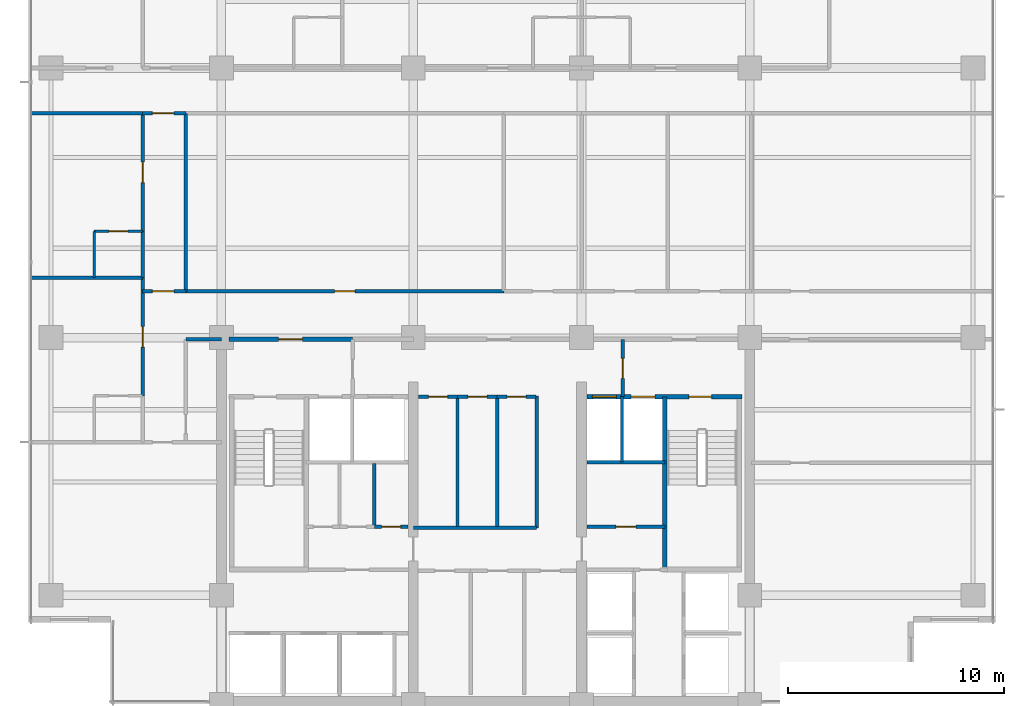
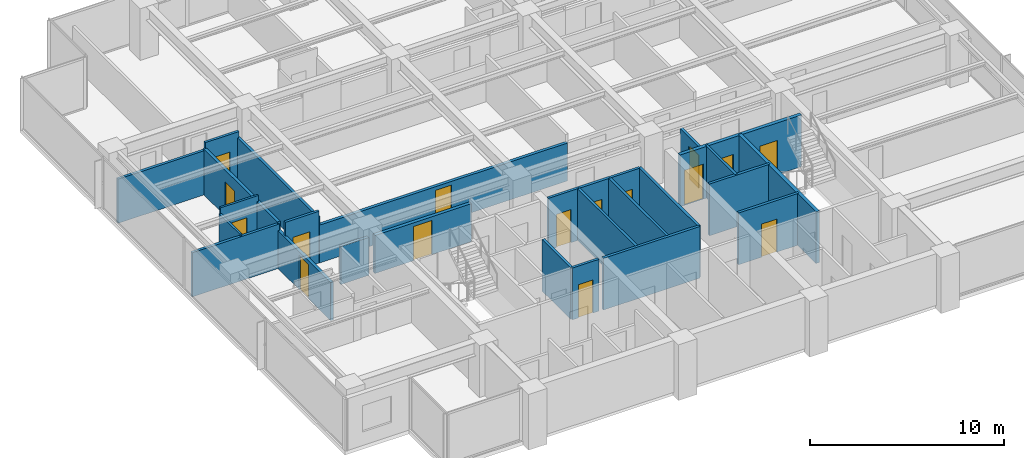
# One storey, part 8 of 15: 28 walls, 16 doors, 16 openings.
"""IFC4 building model written with IfcOpenShell, lengths in metres."""

import ifcopenshell
import ifcopenshell.guid

model = None  # the IFC model being written
_history = None  # IfcOwnerHistory: only IFC2X3 demands one
_inside = {}  # id of a spatial element -> (the spatial element, [elements in it])
_under = {}  # id of a project, library or spatial element -> (it, [spatial elements below it])
_declared = {}  # id of a project -> (the project, [libraries it declares])
_typed = {}  # id of a type object -> (the type object, [elements of that type])
_made_of = {}  # id of a material, layer set ... -> (it, [elements and type objects made of it])


def new_model(schema):
    """Start an empty IFC model of exactly this schema.

    Asked for "IFC4X3", IfcOpenShell would pick the latest addendum, in which some entities
    have other attributes; the version numbers below select the first issue.
    IFC2X3 requires an IfcOwnerHistory on every rooted entity: one is made here for all.
    """
    global model, _history
    if schema == "IFC4X3":
        model = ifcopenshell.file(schema_version=(4, 3, 0, 0))
    else:
        model = ifcopenshell.file(schema=schema)
    _inside.clear()
    _under.clear()
    _declared.clear()
    _typed.clear()
    _made_of.clear()
    _history = None
    if model.schema == "IFC2X3":
        org = make("IfcOrganization", Name="unknown")
        user = make(
            "IfcPersonAndOrganization",
            ThePerson=make("IfcPerson", FamilyName="unknown"),
            TheOrganization=org,
        )
        app = make(
            "IfcApplication",
            ApplicationDeveloper=org,
            Version="unknown",
            ApplicationFullName="unknown",
            ApplicationIdentifier="unknown",
        )
        _history = make(
            "IfcOwnerHistory",
            OwningUser=user,
            OwningApplication=app,
            ChangeAction="ADDED",
            CreationDate=0,
        )
    return model


def make(cls, **values):
    """One entity of the class cls with the attributes given. An attribute that is None is left unset."""
    return model.create_entity(
        cls, **{name: value for name, value in values.items() if value is not None}
    )


def rooted(cls, **values):
    """An entity with a GlobalId (a new one), such as an element, a storey or a relation."""
    return make(cls, GlobalId=ifcopenshell.guid.new(), OwnerHistory=_history, **values)


def si_unit(unit_type, name, prefix=None):
    """IfcSIUnit, for example si_unit("LENGTHUNIT", "METRE", prefix="MILLI")."""
    return make("IfcSIUnit", UnitType=unit_type, Prefix=prefix, Name=name)


def assignment(units):
    """IfcUnitAssignment: the units of a project."""
    return None if units is None else make("IfcUnitAssignment", Units=units)


def point(xyz):
    """IfcCartesianPoint."""
    return None if xyz is None else make("IfcCartesianPoint", Coordinates=xyz)


def direction(xyz):
    """IfcDirection."""
    return None if xyz is None else make("IfcDirection", DirectionRatios=xyz)


def frame(location, z_axis=None, x_axis=None):
    """IfcAxis2Placement3D, a coordinate frame: its origin and axes. An axis left out is left unset."""
    return make(
        "IfcAxis2Placement3D",
        Location=point(location),
        Axis=direction(z_axis),
        RefDirection=direction(x_axis),
    )


def frame_2d(location, x_axis=None):
    """IfcAxis2Placement2D, a coordinate frame in the plane: its origin and x axis."""
    return make(
        "IfcAxis2Placement2D", Location=point(location), RefDirection=direction(x_axis)
    )


def origin():
    """The frame at (0, 0, 0) with its axes left unset."""
    return frame((0.0, 0.0, 0.0))


def place(relative_to, where):
    """IfcLocalPlacement: puts the frame where relative to a parent placement (None: the world)."""
    return make(
        "IfcLocalPlacement", PlacementRelTo=relative_to, RelativePlacement=where
    )


def context(
    kind, dimensions, precision=None, world=None, true_north=None, identifier=None
):
    """IfcGeometricRepresentationContext, for example the 3D "Model" context."""
    return make(
        "IfcGeometricRepresentationContext",
        ContextIdentifier=identifier,
        ContextType=kind,
        CoordinateSpaceDimension=dimensions,
        Precision=precision,
        WorldCoordinateSystem=world,
        TrueNorth=true_north,
    )


def subcontext(parent, identifier, kind, view, scale=None):
    """IfcGeometricRepresentationSubContext, for example "Body" below "Model"."""
    return make(
        "IfcGeometricRepresentationSubContext",
        ContextIdentifier=identifier,
        ContextType=kind,
        ParentContext=parent,
        TargetScale=scale,
        TargetView=view,
    )


def project(units=None, contexts=None):
    """IfcProject with its units and contexts."""
    return rooted(
        "IfcProject",
        Name="project",
        RepresentationContexts=contexts,
        UnitsInContext=assignment(units),
    )


def spatial(cls, under=None, at=None, **own):
    """A site, building, storey or space (cls), placed at a placement, below another one or the project."""
    s = rooted(cls, ObjectPlacement=at, **own)
    if under is not None:
        _under.setdefault(under.id(), (under, []))[1].append(s)
    return s


def profile(cls, at=None, kind="AREA", **sizes):
    """A parametric profile (cls). Its sizes go by their IFC names, for example OverallWidth=200.0."""
    return make(cls, ProfileType=kind, Position=at, **sizes)


def rectangle(**sizes):
    """IfcRectangleProfileDef."""
    return profile("IfcRectangleProfileDef", **sizes)


def extrude(swept, where, along, depth):
    """IfcExtrudedAreaSolid: the profile swept, set in the frame where, extruded along a direction by depth."""
    return make(
        "IfcExtrudedAreaSolid",
        SweptArea=swept,
        Position=where,
        ExtrudedDirection=direction(along),
        Depth=depth,
    )


def shape(context_of_items, identifier, shape_type, items):
    """IfcShapeRepresentation: the items that make up one representation, for example the "Body"."""
    return make(
        "IfcShapeRepresentation",
        ContextOfItems=context_of_items,
        RepresentationIdentifier=identifier,
        RepresentationType=shape_type,
        Items=items,
    )


def material(Name=None, Category=None):
    """IfcMaterial."""
    return make("IfcMaterial", Name=Name, Category=Category)


def layer(
    of_material, thickness, ventilated=None, Name=None, Category=None, Priority=None
):
    """IfcMaterialLayer: one layer of a wall or slab, of a material (None: an air gap)."""
    return make(
        "IfcMaterialLayer",
        Material=of_material,
        LayerThickness=thickness,
        IsVentilated=ventilated,
        Name=Name,
        Category=Category,
        Priority=Priority,
    )


def layer_set(layers, Name=None):
    """IfcMaterialLayerSet."""
    return make("IfcMaterialLayerSet", MaterialLayers=layers, LayerSetName=Name)


def made_of(thing, what):
    """Note that an element or type object is made of a material, layer set ...; save() writes the relation."""
    if what is not None:
        _made_of.setdefault(what.id(), (what, []))[1].append(thing)
    return thing


def type_object(cls, material=None, **own):
    """A type object (cls), such as IfcWallType, which elements share."""
    return made_of(rooted(cls, **own), material)


def element(
    cls,
    number,
    at=None,
    inside=None,
    cuts=None,
    type_object=None,
    material=None,
    context=None,
    identifier="Body",
    shape_type=None,
    held_by="IfcProductDefinitionShape",
    body=None,
    shapes=None,
    **own,
):
    """One element of the class cls, such as IfcWall. Its Tag is "e" and its number.

    at: its placement. inside: the storey or other place that contains it. cuts: it is an
    opening in that element (IfcRelVoidsElement). A single representation is given by context,
    identifier, shape_type and body (its items); several are given by shapes. held_by: the class
    of the entity that holds the representations. save() writes the other relations.
    """
    e = rooted(cls, Tag="e%d" % number, ObjectPlacement=at, **own)
    if body is not None:
        shapes = [shape(context, identifier, shape_type, body)]
    if shapes is not None:
        e.Representation = make(held_by, Representations=shapes)
    if inside is not None:
        _inside.setdefault(inside.id(), (inside, []))[1].append(e)
    if cuts is not None:
        rooted(
            "IfcRelVoidsElement", RelatingBuildingElement=cuts, RelatedOpeningElement=e
        )
    if type_object is not None:
        _typed.setdefault(type_object.id(), (type_object, []))[1].append(e)
    return made_of(e, material)


def fill(opening, filler):
    """IfcRelFillsElement: the door or window that sits in an opening."""
    return rooted(
        "IfcRelFillsElement",
        RelatingOpeningElement=opening,
        RelatedBuildingElement=filler,
    )


def aggregate(whole, parts):
    """IfcRelAggregates: a whole, such as a stair, and the parts it consists of."""
    return rooted("IfcRelAggregates", RelatingObject=whole, RelatedObjects=parts)


def save(model, path):
    """Write the relations noted so far, then the file.

    IfcRelAggregates (storeys below a building ...), IfcRelContainedInSpatialStructure (elements
    in a storey), IfcRelDefinesByType, IfcRelAssociatesMaterial and IfcRelDeclares: one each for
    every whole, place, type object, material and project.
    """
    for whole, parts in _under.values():
        aggregate(whole, parts)
    for where, things in _inside.values():
        rooted(
            "IfcRelContainedInSpatialStructure",
            RelatedElements=things,
            RelatingStructure=where,
        )
    for kind, things in _typed.values():
        rooted("IfcRelDefinesByType", RelatedObjects=things, RelatingType=kind)
    for what, things in _made_of.values():
        rooted("IfcRelAssociatesMaterial", RelatedObjects=things, RelatingMaterial=what)
    for by, libraries in _declared.values():
        rooted("IfcRelDeclares", RelatingContext=by, RelatedDefinitions=libraries)
    model.write(path)


model = new_model("IFC4")

# Units and contexts
model_context = context("Model", 3, precision=1e-05, world=origin(), true_north=direction((0.0, 1.0)))
body_context = subcontext(model_context, "Body", "Model", "MODEL_VIEW")
ifc_project = project(units=[si_unit("LENGTHUNIT", "METRE"), si_unit("AREAUNIT", "SQUARE_METRE"), si_unit("VOLUMEUNIT", "CUBIC_METRE"), si_unit("PLANEANGLEUNIT", "RADIAN"), si_unit("MASSUNIT", "GRAM", prefix="KILO")], contexts=[model_context])

# Site, building, storey
site_placement = place(None, origin())
site = spatial("IfcSite", under=ifc_project, at=site_placement, CompositionType="ELEMENT")
building_placement = place(site_placement, origin())
building = spatial("IfcBuilding", under=site, at=building_placement, Name="Qalmaran Belvedere Hotel", CompositionType="ELEMENT")
storey_placement = place(building_placement, frame((0.0, 0.0, 159.60009765625)))
storey = spatial("IfcBuildingStorey", under=building, at=storey_placement, Name="L40", CompositionType="ELEMENT", Elevation=159.60009765625)

# Wall, opening, door
ifc_material_1 = material(Name="Moisture-Resistant Gypsum")
ifc_layer_1 = layer(ifc_material_1, 0.1201171875, Name="Moisture-Resistant Gypsum")
ifc_layer_set_1 = layer_set([ifc_layer_1], Name="Moisture-Resistant Gypsum")
wall_type_1 = type_object("IfcWallType", Name="WL-INT-120-BATH", PredefinedType="PARTITIONING", material=ifc_layer_set_1)
wall_1_placement = place(storey_placement, frame((14.39990234375, 25.425048828125, 0.0), z_axis=(0.0, 0.0, 1.0), x_axis=(1.0, 0.0, 0.0)))
wall_1 = element("IfcWall", 1, at=wall_1_placement, inside=storey, type_object=wall_type_1, Name="L40 Partition WL-L40-WBN01", PredefinedType="PARTITIONING", context=body_context, shape_type="SweptSolid", body=[
    extrude(rectangle(XDim=2.25, YDim=0.1201171875, at=frame_2d((1.125, 0.0))), origin(), (0.0, 0.0, 1.0), 3.25),
])
opening_1_placement = place(wall_1_placement, frame((1.56494140625, 0.0, 0.0), z_axis=(0.0, 0.0, 1.0), x_axis=(-1.0, 0.0, 0.0)))
opening_1 = element("IfcOpeningElement", 2, at=opening_1_placement, cuts=wall_1, Name="Opening D-BATH", PredefinedType="OPENING", context=body_context, shape_type="SweptSolid", body=[
    extrude(rectangle(XDim=0.8798828125, YDim=2.080078125, at=frame_2d((0.43994140625, 1.0400390625))), frame((0.0, 0.070068359375, 0.0), z_axis=(0.0, -1.0, 0.0), x_axis=(1.0, 0.0, 0.0)), (0.0, 0.0, 1.0), 0.14013671875),
])
ifc_material_2 = material(Name="Engineered Oak Veneer")
door_type_1 = type_object("IfcDoorType", Name="DR-INT-BATH-880X2080", OperationType="NOTDEFINED", PredefinedType="DOOR", material=ifc_material_2)
door_1_placement = place(opening_1_placement, origin())
door_1 = element("IfcDoor", 3, at=door_1_placement, inside=storey, type_object=door_type_1, Name="L40 W Ensuite Door 02", OperationType="SINGLE_SWING_RIGHT", OverallHeight=2.080078125, OverallWidth=0.8798828125, PredefinedType="DOOR", context=body_context, shape_type="SweptSolid", body=[
    extrude(rectangle(XDim=0.8798828125, YDim=2.080078125, at=frame_2d((0.43994140625, 1.0400390625))), frame((0.0, 0.02490234375, 0.0), z_axis=(0.0, -1.0, 0.0), x_axis=(1.0, 0.0, 0.0)), (0.0, 0.0, 1.0), 0.050048828125),
])
fill(opening_1, door_1)

# Walls
wall_2_placement = place(storey_placement, frame((14.39990234375, 23.27490234375, 0.0), z_axis=(0.0, 0.0, 1.0), x_axis=(0.0, 1.0, 0.0)))
element("IfcWall", 4, at=wall_2_placement, inside=storey, type_object=wall_type_1, Name="L40 Partition WL-L40-WBS01", PredefinedType="PARTITIONING", context=body_context, shape_type="SweptSolid", body=[
    extrude(rectangle(XDim=2.150146484375, YDim=0.1201171875, at=frame_2d((1.0751953125, 0.0))), origin(), (0.0, 0.0, 1.0), 2.880859375),
])
ifc_material_3 = material(Name="Gypsum Stud Partition")
ifc_layer_2 = layer(ifc_material_3, 0.14990234375, Name="Gypsum Stud Partition")
ifc_layer_set_2 = layer_set([ifc_layer_2], Name="Gypsum Stud Partition")
wall_type_2 = type_object("IfcWallType", Name="WL-INT-150-EI120", PredefinedType="PARTITIONING", material=ifc_layer_set_2)
wall_3_placement = place(storey_placement, frame((38.8798828125, 14.719970703125, 0.0), z_axis=(0.0, 0.0, 1.0), x_axis=(0.0, 1.0, 0.0)))
element("IfcWall", 5, at=wall_3_placement, inside=storey, type_object=wall_type_2, Name="L40 Partition WL-FF2M-L40", PredefinedType="PARTITIONING", context=body_context, shape_type="SweptSolid", body=[
    extrude(rectangle(XDim=3.0400390625, YDim=0.14990234375, at=frame_2d((1.52001953125, 0.0))), origin(), (0.0, 0.0, 1.0), 3.25),
])
ifc_layer_3 = layer(ifc_material_3, 0.14990234375, Name="Gypsum Stud Partition")
ifc_layer_set_3 = layer_set([ifc_layer_3], Name="Gypsum Stud Partition")
wall_type_3 = type_object("IfcWallType", Name="WL-INT-150-EI60", PredefinedType="PARTITIONING", material=ifc_layer_set_3)
wall_4_placement = place(storey_placement, frame((27.38916015625, 11.719970703125, 0.0), z_axis=(0.0, 0.0, 1.0), x_axis=(0.0, 1.0, 0.0)))
element("IfcWall", 6, at=wall_4_placement, inside=storey, type_object=wall_type_3, Name="L40 Partition WL-L40-KWV2", PredefinedType="PARTITIONING", context=body_context, shape_type="SweptSolid", body=[
    extrude(rectangle(XDim=2.929931640625, YDim=0.14990234375, at=frame_2d((1.46484375, 0.0))), origin(), (0.0, 0.0, 1.0), 3.25),
])
for number, where, z_axis, x_axis, name in (
    (7, (31.241943359375, 11.739990234375, 0.0), (0.0, 0.0, 1.0), (0.0, 1.0, 0.0), "L40 Partition WL-L40-KPMV1"),
    (8, (33.088134765625, 11.739990234375, 0.0), (0.0, 0.0, 1.0), (0.0, 1.0, 0.0), "L40 Partition WL-L40-KPMV2"),
):
    element("IfcWall", number, at=place(storey_placement, frame(where, z_axis=z_axis, x_axis=x_axis)), inside=storey, type_object=wall_type_3, Name=name, PredefinedType="PARTITIONING", context=body_context, shape_type="SweptSolid", body=[
        extrude(rectangle(XDim=6.010009765625, YDim=0.14990234375, at=frame_2d((3.0048828125, 0.0))), origin(), (0.0, 0.0, 1.0), 3.25),
    ])

# Wall, opening, door
wall_5_placement = place(storey_placement, frame((16.64990234375, 22.64990234375, 0.0), z_axis=(0.0, 0.0, 1.0), x_axis=(1.0, 0.0, 0.0)))
wall_5 = element("IfcWall", 9, at=wall_5_placement, inside=storey, type_object=wall_type_3, Name="L40 Partition WL-L40-XCW1", PredefinedType="PARTITIONING", context=body_context, shape_type="SweptSolid", body=[
    extrude(rectangle(XDim=2.0, YDim=0.14990234375, at=frame_2d((1.0, 0.0))), origin(), (0.0, 0.0, 1.0), 3.25),
])
opening_2_placement = place(wall_5_placement, frame((0.449951171875, 0.0, 0.0)))
opening_2 = element("IfcOpeningElement", 10, at=opening_2_placement, cuts=wall_5, Name="Opening FD90B", PredefinedType="OPENING", context=body_context, shape_type="SweptSolid", body=[
    extrude(rectangle(XDim=1.0, YDim=2.14990234375, at=frame_2d((0.5, 1.074951171875))), frame((0.0, 0.0849609375, 0.0), z_axis=(0.0, -1.0, 0.0), x_axis=(1.0, 0.0, 0.0)), (0.0, 0.0, 1.0), 0.169921875),
])
ifc_material_4 = material(Name="Steel S355JR", Category="steel")
door_type_2 = type_object("IfcDoorType", Name="DR-FD90B-1000X2150", OperationType="NOTDEFINED", PredefinedType="DOOR", material=ifc_material_4)
door_2_placement = place(opening_2_placement, origin())
door_2 = element("IfcDoor", 11, at=door_2_placement, inside=storey, type_object=door_type_2, Name="L40 West Corridor Smoke Door S", OperationType="SINGLE_SWING_RIGHT", OverallHeight=2.14990234375, OverallWidth=1.0, PredefinedType="DOOR", context=body_context, shape_type="SweptSolid", body=[
    extrude(rectangle(XDim=1.0, YDim=2.14990234375, at=frame_2d((0.5, 1.074951171875))), frame((0.0, 0.02490234375, 0.0), z_axis=(0.0, -1.0, 0.0), x_axis=(1.0, 0.0, 0.0)), (0.0, 0.0, 1.0), 0.050048828125),
])
fill(opening_2, door_2)

wall_6_placement = place(storey_placement, frame((16.64990234375, 30.89990234375, 0.0), z_axis=(0.0, 0.0, 1.0), x_axis=(1.0, 0.0, 0.0)))
wall_6 = element("IfcWall", 12, at=wall_6_placement, inside=storey, type_object=wall_type_3, Name="L40 Partition WL-L40-XCW2", PredefinedType="PARTITIONING", context=body_context, shape_type="SweptSolid", body=[
    extrude(rectangle(XDim=2.0, YDim=0.14990234375, at=frame_2d((1.0, 0.0))), origin(), (0.0, 0.0, 1.0), 3.25),
])
opening_3_placement = place(wall_6_placement, frame((0.449951171875, 0.0, 0.0)))
opening_3 = element("IfcOpeningElement", 13, at=opening_3_placement, cuts=wall_6, Name="Opening FD90B", PredefinedType="OPENING", context=body_context, shape_type="SweptSolid", body=[
    extrude(rectangle(XDim=1.0, YDim=2.14990234375, at=frame_2d((0.5, 1.074951171875))), frame((0.0, 0.0849609375, 0.0), z_axis=(0.0, -1.0, 0.0), x_axis=(1.0, 0.0, 0.0)), (0.0, 0.0, 1.0), 0.169921875),
])
door_3_placement = place(opening_3_placement, origin())
door_3 = element("IfcDoor", 14, at=door_3_placement, inside=storey, type_object=door_type_2, Name="L40 West Corridor Smoke Door N", OperationType="SINGLE_SWING_LEFT", OverallHeight=2.14990234375, OverallWidth=1.0, PredefinedType="DOOR", context=body_context, shape_type="SweptSolid", body=[
    extrude(rectangle(XDim=1.0, YDim=2.14990234375, at=frame_2d((0.5, 1.074951171875))), frame((0.0, 0.02490234375, 0.0), z_axis=(0.0, -1.0, 0.0), x_axis=(1.0, 0.0, 0.0)), (0.0, 0.0, 1.0), 0.050048828125),
])
fill(opening_3, door_3)

ifc_layer_4 = layer(ifc_material_3, 0.159912109375, Name="Gypsum Stud Partition")
ifc_layer_set_4 = layer_set([ifc_layer_4], Name="Gypsum Stud Partition")
wall_type_4 = type_object("IfcWallType", Name="WL-INT-160-EI120", PredefinedType="PARTITIONING", material=ifc_layer_set_4)
wall_7_placement = place(storey_placement, frame((38.919921875, 17.760009765625, 0.0), z_axis=(0.0, 0.0, 1.0), x_axis=(0.0, 1.0, 0.0)))
wall_7 = element("IfcWall", 15, at=wall_7_placement, inside=storey, type_object=wall_type_4, Name="L40 Partition WL-FFSV2-L40", PredefinedType="PARTITIONING", context=body_context, shape_type="SweptSolid", body=[
    extrude(rectangle(XDim=2.659912109375, YDim=0.159912109375, at=frame_2d((1.330078125, 0.0))), origin(), (0.0, 0.0, 1.0), 2.69189453125),
])
opening_4_placement = place(wall_7_placement, frame((1.77001953125, 0.0, 0.0), z_axis=(0.0, 0.0, 1.0), x_axis=(-1.0, 0.0, 0.0)))
opening_4 = element("IfcOpeningElement", 16, at=opening_4_placement, cuts=wall_7, Name="Opening FD60S1", PredefinedType="OPENING", context=body_context, shape_type="SweptSolid", body=[
    extrude(rectangle(XDim=0.919921875, YDim=2.080078125, at=frame_2d((0.4599609375, 1.0400390625))), frame((0.0, 0.08984375, 0.0), z_axis=(0.0, -1.0, 0.0), x_axis=(1.0, 0.0, 0.0)), (0.0, 0.0, 1.0), 0.179931640625),
])
door_type_3 = type_object("IfcDoorType", Name="DR-FD60S-920X2080", OperationType="NOTDEFINED", PredefinedType="DOOR", material=ifc_material_2)
door_4_placement = place(opening_4_placement, origin())
door_4 = element("IfcDoor", 17, at=door_4_placement, inside=storey, type_object=door_type_3, Name="L40 Service Lobby East Door", OperationType="SINGLE_SWING_LEFT", OverallHeight=2.080078125, OverallWidth=0.919921875, PredefinedType="DOOR", context=body_context, shape_type="SweptSolid", body=[
    extrude(rectangle(XDim=0.919921875, YDim=2.080078125, at=frame_2d((0.4599609375, 1.0400390625))), frame((0.0, 0.02490234375, 0.0), z_axis=(0.0, -1.0, 0.0), x_axis=(1.0, 0.0, 0.0)), (0.0, 0.0, 1.0), 0.050048828125),
])
fill(opening_4, door_4)

# Wall
wall_8_placement = place(storey_placement, frame((37.25, 14.719970703125, 0.0), z_axis=(0.0, 0.0, 1.0), x_axis=(1.0, 0.0, 0.0)))
element("IfcWall", 18, at=wall_8_placement, inside=storey, type_object=wall_type_4, Name="L40 Partition WL-FF2S-L40", PredefinedType="PARTITIONING", context=body_context, shape_type="SweptSolid", body=[
    extrude(rectangle(XDim=3.610107421875, YDim=0.159912109375, at=frame_2d((1.80517578125, 0.0))), origin(), (0.0, 0.0, 1.0), 3.25),
])

# Wall, opening, door
ifc_layer_5 = layer(ifc_material_3, 0.159912109375, Name="Gypsum Stud Partition")
ifc_layer_set_5 = layer_set([ifc_layer_5], Name="Gypsum Stud Partition")
wall_type_5 = type_object("IfcWallType", Name="WL-INT-160-EI60", PredefinedType="PARTITIONING", material=ifc_layer_set_5)
wall_9_placement = place(storey_placement, frame((27.38916015625, 11.719970703125, 0.0), z_axis=(0.0, 0.0, 1.0), x_axis=(1.0, 0.0, 0.0)))
wall_9 = element("IfcWall", 19, at=wall_9_placement, inside=storey, type_object=wall_type_5, Name="L40 Partition WL-L40-KWE3", PredefinedType="PARTITIONING", context=body_context, shape_type="SweptSolid", body=[
    extrude(rectangle(XDim=1.560791015625, YDim=0.159912109375, at=frame_2d((0.7802734375, 0.0))), origin(), (0.0, 0.0, 1.0), 3.25),
])
opening_5_placement = place(wall_9_placement, frame((0.340576171875, 0.0, 0.0)))
opening_5 = element("IfcOpeningElement", 20, at=opening_5_placement, cuts=wall_9, Name="Opening FD60B", PredefinedType="OPENING", context=body_context, shape_type="SweptSolid", body=[
    extrude(rectangle(XDim=0.8798828125, YDim=2.080078125, at=frame_2d((0.43994140625, 1.0400390625))), frame((0.0, 0.08984375, 0.0), z_axis=(0.0, -1.0, 0.0), x_axis=(1.0, 0.0, 0.0)), (0.0, 0.0, 1.0), 0.179931640625),
])
door_type_4 = type_object("IfcDoorType", Name="DR-FD60B-880X2080", OperationType="NOTDEFINED", PredefinedType="DOOR", material=ifc_material_4)
door_5_placement = place(opening_5_placement, origin())
door_5 = element("IfcDoor", 21, at=door_5_placement, inside=storey, type_object=door_type_4, Name="L40 Telecom and IT Room Door", OperationType="SINGLE_SWING_LEFT", OverallHeight=2.080078125, OverallWidth=0.8798828125, PredefinedType="DOOR", context=body_context, shape_type="SweptSolid", body=[
    extrude(rectangle(XDim=0.8798828125, YDim=2.080078125, at=frame_2d((0.43994140625, 1.0400390625))), frame((0.0, 0.02490234375, 0.0), z_axis=(0.0, -1.0, 0.0), x_axis=(1.0, 0.0, 0.0)), (0.0, 0.0, 1.0), 0.050048828125),
])
fill(opening_5, door_5)

wall_10_placement = place(storey_placement, frame((37.25, 11.719970703125, 0.0), z_axis=(0.0, 0.0, 1.0), x_axis=(1.0, 0.0, 0.0)))
wall_10 = element("IfcWall", 22, at=wall_10_placement, inside=storey, type_object=wall_type_5, Name="L40 Partition WL-L40-KEE1", PredefinedType="PARTITIONING", context=body_context, shape_type="SweptSolid", body=[
    extrude(rectangle(XDim=3.610107421875, YDim=0.159912109375, at=frame_2d((1.80517578125, 0.0))), origin(), (0.0, 0.0, 1.0), 3.25),
])
opening_6_placement = place(wall_10_placement, frame((1.344970703125, 0.0, 0.0)))
opening_6 = element("IfcOpeningElement", 23, at=opening_6_placement, cuts=wall_10, Name="Opening FD60S1", PredefinedType="OPENING", context=body_context, shape_type="SweptSolid", body=[
    extrude(rectangle(XDim=0.919921875, YDim=2.080078125, at=frame_2d((0.4599609375, 1.0400390625))), frame((0.0, 0.08984375, 0.0), z_axis=(0.0, -1.0, 0.0), x_axis=(1.0, 0.0, 0.0)), (0.0, 0.0, 1.0), 0.179931640625),
])
door_6_placement = place(opening_6_placement, origin())
door_6 = element("IfcDoor", 24, at=door_6_placement, inside=storey, type_object=door_type_3, Name="L40 Guest Ice and Beverage Pantry Door", OperationType="SINGLE_SWING_RIGHT", OverallHeight=2.080078125, OverallWidth=0.919921875, PredefinedType="DOOR", context=body_context, shape_type="SweptSolid", body=[
    extrude(rectangle(XDim=0.919921875, YDim=2.080078125, at=frame_2d((0.4599609375, 1.0400390625))), frame((0.0, 0.02490234375, 0.0), z_axis=(0.0, -1.0, 0.0), x_axis=(1.0, 0.0, 0.0)), (0.0, 0.0, 1.0), 0.050048828125),
])
fill(opening_6, door_6)

# Walls
wall_11_placement = place(storey_placement, frame((34.919921875, 11.679931640625, 0.0), z_axis=(0.0, 0.0, 1.0), x_axis=(0.0, 1.0, 0.0)))
element("IfcWall", 25, at=wall_11_placement, inside=storey, type_object=wall_type_5, Name="L40 Partition WL-CLLV-L40", PredefinedType="PARTITIONING", context=body_context, shape_type="SweptSolid", body=[
    extrude(rectangle(XDim=6.10009765625, YDim=0.159912109375, at=frame_2d((3.050048828125, 0.0))), origin(), (0.0, 0.0, 1.0), 3.25),
])
wall_12_placement = place(storey_placement, frame((29.199951171875, 11.679931640625, 0.0), z_axis=(0.0, 0.0, 1.0), x_axis=(1.0, 0.0, 0.0)))
element("IfcWall", 26, at=wall_12_placement, inside=storey, type_object=wall_type_5, Name="L40 Partition WL-PMFS-L40", PredefinedType="PARTITIONING", context=body_context, shape_type="SweptSolid", body=[
    extrude(rectangle(XDim=5.719970703125, YDim=0.159912109375, at=frame_2d((2.85986328125, 0.0))), origin(), (0.0, 0.0, 1.0), 3.25),
])

# Wall, opening, door
wall_13_placement = place(storey_placement, frame((29.449951171875, 17.75, 0.0), z_axis=(0.0, 0.0, 1.0), x_axis=(1.0, 0.0, 0.0)))
wall_13 = element("IfcWall", 27, at=wall_13_placement, inside=storey, type_object=wall_type_5, Name="L40 Partition WL-L40-KPME1", PredefinedType="PARTITIONING", context=body_context, shape_type="SweptSolid", body=[
    extrude(rectangle(XDim=1.7919921875, YDim=0.159912109375, at=frame_2d((0.89599609375, 0.0))), origin(), (0.0, 0.0, 1.0), 3.25),
])
opening_7_placement = place(wall_13_placement, frame((1.3359375, 0.0, 0.0), z_axis=(0.0, 0.0, 1.0), x_axis=(-1.0, 0.0, 0.0)))
opening_7 = element("IfcOpeningElement", 28, at=opening_7_placement, cuts=wall_13, Name="Opening FD60B", PredefinedType="OPENING", context=body_context, shape_type="SweptSolid", body=[
    extrude(rectangle(XDim=0.8798828125, YDim=2.080078125, at=frame_2d((0.43994140625, 1.0400390625))), frame((0.0, 0.08984375, 0.0), z_axis=(0.0, -1.0, 0.0), x_axis=(1.0, 0.0, 0.0)), (0.0, 0.0, 1.0), 0.179931640625),
])
door_7_placement = place(opening_7_placement, origin())
door_7 = element("IfcDoor", 29, at=door_7_placement, inside=storey, type_object=door_type_4, Name="L40 Executive Butler Pantry Door", OperationType="SINGLE_SWING_RIGHT", OverallHeight=2.080078125, OverallWidth=0.8798828125, PredefinedType="DOOR", context=body_context, shape_type="SweptSolid", body=[
    extrude(rectangle(XDim=0.8798828125, YDim=2.080078125, at=frame_2d((0.43994140625, 1.0400390625))), frame((0.0, 0.02490234375, 0.0), z_axis=(0.0, -1.0, 0.0), x_axis=(1.0, 0.0, 0.0)), (0.0, 0.0, 1.0), 0.050048828125),
])
fill(opening_7, door_7)

wall_14_placement = place(storey_placement, frame((31.241943359375, 17.75, 0.0), z_axis=(0.0, 0.0, 1.0), x_axis=(1.0, 0.0, 0.0)))
wall_14 = element("IfcWall", 30, at=wall_14_placement, inside=storey, type_object=wall_type_5, Name="L40 Partition WL-L40-KPME2", PredefinedType="PARTITIONING", context=body_context, shape_type="SweptSolid", body=[
    extrude(rectangle(XDim=1.84619140625, YDim=0.159912109375, at=frame_2d((0.923095703125, 0.0))), origin(), (0.0, 0.0, 1.0), 3.25),
])
opening_8_placement = place(wall_14_placement, frame((1.363037109375, 0.0, 0.0), z_axis=(0.0, 0.0, 1.0), x_axis=(-1.0, 0.0, 0.0)))
opening_8 = element("IfcOpeningElement", 31, at=opening_8_placement, cuts=wall_14, Name="Opening FD60B", PredefinedType="OPENING", context=body_context, shape_type="SweptSolid", body=[
    extrude(rectangle(XDim=0.8798828125, YDim=2.080078125, at=frame_2d((0.43994140625, 1.0400390625))), frame((0.0, 0.08984375, 0.0), z_axis=(0.0, -1.0, 0.0), x_axis=(1.0, 0.0, 0.0)), (0.0, 0.0, 1.0), 0.179931640625),
])
door_8_placement = place(opening_8_placement, origin())
door_8 = element("IfcDoor", 32, at=door_8_placement, inside=storey, type_object=door_type_4, Name="L40 Floor Linen Supply Store Door", OperationType="SINGLE_SWING_LEFT", OverallHeight=2.080078125, OverallWidth=0.8798828125, PredefinedType="DOOR", context=body_context, shape_type="SweptSolid", body=[
    extrude(rectangle(XDim=0.8798828125, YDim=2.080078125, at=frame_2d((0.43994140625, 1.0400390625))), frame((0.0, 0.02490234375, 0.0), z_axis=(0.0, -1.0, 0.0), x_axis=(1.0, 0.0, 0.0)), (0.0, 0.0, 1.0), 0.050048828125),
])
fill(opening_8, door_8)

wall_15_placement = place(storey_placement, frame((33.088134765625, 17.75, 0.0), z_axis=(0.0, 0.0, 1.0), x_axis=(1.0, 0.0, 0.0)))
wall_15 = element("IfcWall", 33, at=wall_15_placement, inside=storey, type_object=wall_type_5, Name="L40 Partition WL-L40-KPME3", PredefinedType="PARTITIONING", context=body_context, shape_type="SweptSolid", body=[
    extrude(rectangle(XDim=1.791748046875, YDim=0.159912109375, at=frame_2d((0.89599609375, 0.0))), origin(), (0.0, 0.0, 1.0), 3.25),
])
opening_9_placement = place(wall_15_placement, frame((1.3359375, 0.0, 0.0), z_axis=(0.0, 0.0, 1.0), x_axis=(-1.0, 0.0, 0.0)))
opening_9 = element("IfcOpeningElement", 34, at=opening_9_placement, cuts=wall_15, Name="Opening FD60B", PredefinedType="OPENING", context=body_context, shape_type="SweptSolid", body=[
    extrude(rectangle(XDim=0.8798828125, YDim=2.080078125, at=frame_2d((0.43994140625, 1.0400390625))), frame((0.0, 0.08984375, 0.0), z_axis=(0.0, -1.0, 0.0), x_axis=(1.0, 0.0, 0.0)), (0.0, 0.0, 1.0), 0.179931640625),
])
door_9_placement = place(opening_9_placement, origin())
door_9 = element("IfcDoor", 35, at=door_9_placement, inside=storey, type_object=door_type_4, Name="L40 Core Tableware Store Door", OperationType="SINGLE_SWING_RIGHT", OverallHeight=2.080078125, OverallWidth=0.8798828125, PredefinedType="DOOR", context=body_context, shape_type="SweptSolid", body=[
    extrude(rectangle(XDim=0.8798828125, YDim=2.080078125, at=frame_2d((0.43994140625, 1.0400390625))), frame((0.0, 0.02490234375, 0.0), z_axis=(0.0, -1.0, 0.0), x_axis=(1.0, 0.0, 0.0)), (0.0, 0.0, 1.0), 0.050048828125),
])
fill(opening_9, door_9)

# Walls
wall_16_placement = place(storey_placement, frame((18.64990234375, 20.419921875, 0.0), z_axis=(0.0, 0.0, 1.0), x_axis=(1.0, 0.0, 0.0)))
element("IfcWall", 36, at=wall_16_placement, inside=storey, type_object=wall_type_5, Name="L40 Partition WL-L40-WCLN", PredefinedType="PARTITIONING", context=body_context, shape_type="SweptSolid", body=[
    extrude(rectangle(XDim=1.650146484375, YDim=0.159912109375, at=frame_2d((0.8251953125, 0.0))), origin(), (0.0, 0.0, 1.0), 2.3798828125),
])
wall_17_placement = place(storey_placement, frame((18.64990234375, 22.64990234375, 0.0), z_axis=(0.0, 0.0, 1.0), x_axis=(0.0, 1.0, 0.0)))
element("IfcWall", 37, at=wall_17_placement, inside=storey, type_object=wall_type_5, Name="L40 Partition WL-L40-MIDVL", PredefinedType="PARTITIONING", context=body_context, shape_type="SweptSolid", body=[
    extrude(rectangle(XDim=8.25, YDim=0.159912109375, at=frame_2d((4.125, 0.0))), origin(), (0.0, 0.0, 1.0), 2.880859375),
])
for number, where, z_axis, x_axis, name in (
    (38, (11.469970703125, 23.27490234375, 0.0), (0.0, 0.0, 1.0), (1.0, 0.0, 0.0), "L40 Partition WL-L40-WU00"),
    (39, (11.469970703125, 30.89990234375, 0.0), (0.0, 0.0, 1.0), (1.0, 0.0, 0.0), "L40 Partition WL-L40-WU01"),
):
    element("IfcWall", number, at=place(storey_placement, frame(where, z_axis=z_axis, x_axis=x_axis)), inside=storey, type_object=wall_type_5, Name=name, PredefinedType="PARTITIONING", context=body_context, shape_type="SweptSolid", body=[
        extrude(rectangle(XDim=5.179931640625, YDim=0.159912109375, at=frame_2d((2.58984375, 0.0))), origin(), (0.0, 0.0, 1.0), 2.77197265625),
    ])

# Wall, opening, door
ifc_layer_6 = layer(ifc_material_3, 0.179931640625, Name="Gypsum Stud Partition")
ifc_layer_set_6 = layer_set([ifc_layer_6], Name="Gypsum Stud Partition")
wall_type_6 = type_object("IfcWallType", Name="WL-INT-180-EI60", PredefinedType="PARTITIONING", material=ifc_layer_set_6)
wall_18_placement = place(storey_placement, frame((18.64990234375, 22.64990234375, 0.0), z_axis=(0.0, 0.0, 1.0), x_axis=(1.0, 0.0, 0.0)))
wall_18 = element("IfcWall", 40, at=wall_18_placement, inside=storey, type_object=wall_type_6, Name="L40 Partition WL-L40-MIDD1", PredefinedType="PARTITIONING", context=body_context, shape_type="SweptSolid", body=[
    extrude(rectangle(XDim=14.75, YDim=0.179931640625, at=frame_2d((7.375, 0.0))), origin(), (0.0, 0.0, 1.0), 2.3798828125),
])
opening_10_placement = place(wall_18_placement, frame((6.89990234375, 0.0, 0.0)))
opening_10 = element("IfcOpeningElement", 41, at=opening_10_placement, cuts=wall_18, Name="Opening FD60", PredefinedType="OPENING", context=body_context, shape_type="SweptSolid", body=[
    extrude(rectangle(XDim=0.949951171875, YDim=2.14990234375, at=frame_2d((0.47509765625, 1.074951171875))), frame((0.0, 0.10009765625, 0.0), z_axis=(0.0, -1.0, 0.0), x_axis=(1.0, 0.0, 0.0)), (0.0, 0.0, 1.0), 0.199951171875),
])
door_type_5 = type_object("IfcDoorType", Name="DR-FD60-950X2150", OperationType="NOTDEFINED", PredefinedType="DOOR", material=ifc_material_2)
door_10_placement = place(opening_10_placement, origin())
door_10 = element("IfcDoor", 42, at=door_10_placement, inside=storey, type_object=door_type_5, Name="L40 Housekeeping and Linen Room Door", OperationType="SINGLE_SWING_RIGHT", OverallHeight=2.14990234375, OverallWidth=0.949951171875, PredefinedType="DOOR", context=body_context, shape_type="SweptSolid", body=[
    extrude(rectangle(XDim=0.949951171875, YDim=2.14990234375, at=frame_2d((0.47509765625, 1.074951171875))), frame((0.0, 0.02490234375, 0.0), z_axis=(0.0, -1.0, 0.0), x_axis=(1.0, 0.0, 0.0)), (0.0, 0.0, 1.0), 0.050048828125),
])
fill(opening_10, door_10)

wall_19_placement = place(storey_placement, frame((16.64990234375, 17.800048828125, 0.0), z_axis=(0.0, 0.0, 1.0), x_axis=(0.0, 1.0, 0.0)))
wall_19 = element("IfcWall", 43, at=wall_19_placement, inside=storey, type_object=wall_type_6, Name="L40 Partition WL-L40-WEC00", PredefinedType="PARTITIONING", context=body_context, shape_type="SweptSolid", body=[
    extrude(rectangle(XDim=5.474853515625, YDim=0.179931640625, at=frame_2d((2.7373046875, 0.0))), origin(), (0.0, 0.0, 1.0), 2.3798828125),
])
opening_11_placement = place(wall_19_placement, frame((2.262451171875, 0.0, 0.0)))
opening_11 = element("IfcOpeningElement", 44, at=opening_11_placement, cuts=wall_19, Name="Opening FD60", PredefinedType="OPENING", context=body_context, shape_type="SweptSolid", body=[
    extrude(rectangle(XDim=0.949951171875, YDim=2.14990234375, at=frame_2d((0.47509765625, 1.074951171875))), frame((0.0, 0.10009765625, 0.0), z_axis=(0.0, -1.0, 0.0), x_axis=(1.0, 0.0, 0.0)), (0.0, 0.0, 1.0), 0.199951171875),
])
door_11_placement = place(opening_11_placement, origin())
door_11 = element("IfcDoor", 45, at=door_11_placement, inside=storey, type_object=door_type_5, Name="L40 W Wing Door 01", OperationType="SINGLE_SWING_LEFT", OverallHeight=2.14990234375, OverallWidth=0.949951171875, PredefinedType="DOOR", context=body_context, shape_type="SweptSolid", body=[
    extrude(rectangle(XDim=0.949951171875, YDim=2.14990234375, at=frame_2d((0.47509765625, 1.074951171875))), frame((0.0, 0.02490234375, 0.0), z_axis=(0.0, -1.0, 0.0), x_axis=(1.0, 0.0, 0.0)), (0.0, 0.0, 1.0), 0.050048828125),
])
fill(opening_11, door_11)

# Wall
wall_20_placement = place(storey_placement, frame((16.64990234375, 23.27490234375, 0.0), z_axis=(0.0, 0.0, 1.0), x_axis=(0.0, 1.0, 0.0)))
element("IfcWall", 46, at=wall_20_placement, inside=storey, type_object=wall_type_6, Name="L40 Partition WL-L40-WBC01", PredefinedType="PARTITIONING", context=body_context, shape_type="SweptSolid", body=[
    extrude(rectangle(XDim=2.150146484375, YDim=0.179931640625, at=frame_2d((1.0751953125, 0.0))), origin(), (0.0, 0.0, 1.0), 2.880859375),
])

# Wall, opening, door
wall_21_placement = place(storey_placement, frame((16.64990234375, 25.425048828125, 0.0), z_axis=(0.0, 0.0, 1.0), x_axis=(0.0, 1.0, 0.0)))
wall_21 = element("IfcWall", 47, at=wall_21_placement, inside=storey, type_object=wall_type_6, Name="L40 Partition WL-L40-WEC01", PredefinedType="PARTITIONING", context=body_context, shape_type="SweptSolid", body=[
    extrude(rectangle(XDim=5.474853515625, YDim=0.179931640625, at=frame_2d((2.7373046875, 0.0))), origin(), (0.0, 0.0, 1.0), 2.880859375),
])
opening_12_placement = place(wall_21_placement, frame((2.262451171875, 0.0, 0.0)))
opening_12 = element("IfcOpeningElement", 48, at=opening_12_placement, cuts=wall_21, Name="Opening FD60", PredefinedType="OPENING", context=body_context, shape_type="SweptSolid", body=[
    extrude(rectangle(XDim=0.949951171875, YDim=2.14990234375, at=frame_2d((0.47509765625, 1.074951171875))), frame((0.0, 0.10009765625, 0.0), z_axis=(0.0, -1.0, 0.0), x_axis=(1.0, 0.0, 0.0)), (0.0, 0.0, 1.0), 0.199951171875),
])
door_12_placement = place(opening_12_placement, origin())
door_12 = element("IfcDoor", 49, at=door_12_placement, inside=storey, type_object=door_type_5, Name="L40 W Wing Door 02", OperationType="SINGLE_SWING_LEFT", OverallHeight=2.14990234375, OverallWidth=0.949951171875, PredefinedType="DOOR", context=body_context, shape_type="SweptSolid", body=[
    extrude(rectangle(XDim=0.949951171875, YDim=2.14990234375, at=frame_2d((0.47509765625, 1.074951171875))), frame((0.0, 0.02490234375, 0.0), z_axis=(0.0, -1.0, 0.0), x_axis=(1.0, 0.0, 0.0)), (0.0, 0.0, 1.0), 0.050048828125),
])
fill(opening_12, door_12)

ifc_material_5 = material(Name="Concrete C30/37 Blockwork", Category="masonry")
ifc_layer_7 = layer(ifc_material_5, 0.199951171875, Name="Concrete C30/37 Blockwork")
ifc_layer_set_7 = layer_set([ifc_layer_7], Name="Concrete C30/37 Blockwork")
wall_type_7 = type_object("IfcWallType", Name="WL-INT-200-EI120", PredefinedType="PARTITIONING", material=ifc_layer_set_7)
wall_22_placement = place(storey_placement, frame((20.64990234375, 20.419921875, 0.0), z_axis=(0.0, 0.0, 1.0), x_axis=(1.0, 0.0, 0.0)))
wall_22 = element("IfcWall", 50, at=wall_22_placement, inside=storey, type_object=wall_type_7, Name="L40 Partition WL-CN1A-L40", PredefinedType="PARTITIONING", context=body_context, shape_type="SweptSolid", body=[
    extrude(rectangle(XDim=5.72998046875, YDim=0.199951171875, at=frame_2d((2.864990234375, 0.0))), origin(), (0.0, 0.0, 1.0), 2.3798828125),
])
opening_13_placement = place(wall_22_placement, frame((2.300048828125, 0.0, 0.0)))
opening_13 = element("IfcOpeningElement", 51, at=opening_13_placement, cuts=wall_22, Name="Opening FD90", PredefinedType="OPENING", context=body_context, shape_type="SweptSolid", body=[
    extrude(rectangle(XDim=1.10009765625, YDim=2.14990234375, at=frame_2d((0.550048828125, 1.074951171875))), frame((0.0, 0.10986328125, 0.0), z_axis=(0.0, -1.0, 0.0), x_axis=(1.0, 0.0, 0.0)), (0.0, 0.0, 1.0), 0.219970703125),
])
door_type_6 = type_object("IfcDoorType", Name="DR-FD90-1100X2150", OperationType="NOTDEFINED", PredefinedType="DOOR", material=ifc_material_4)
door_13_placement = place(opening_13_placement, origin())
door_13 = element("IfcDoor", 52, at=door_13_placement, inside=storey, type_object=door_type_6, Name="L40 FF1 Lobby Corridor Door", OperationType="SINGLE_SWING_RIGHT", OverallHeight=2.14990234375, OverallWidth=1.10009765625, PredefinedType="DOOR", context=body_context, shape_type="SweptSolid", body=[
    extrude(rectangle(XDim=1.10009765625, YDim=2.14990234375, at=frame_2d((0.550048828125, 1.074951171875))), frame((0.0, 0.02490234375, 0.0), z_axis=(0.0, -1.0, 0.0), x_axis=(1.0, 0.0, 0.0)), (0.0, 0.0, 1.0), 0.050048828125),
])
fill(opening_13, door_13)

# Wall
ifc_material_6 = material(Name="Concrete C50/60", Category="concrete")
ifc_layer_8 = layer(ifc_material_6, 0.2099609375, Name="Concrete C50/60")
ifc_layer_set_8 = layer_set([ifc_layer_8], Name="Concrete C50/60")
wall_type_8 = type_object("IfcWallType", Name="WL-STAIR-210-C50", PredefinedType="SHEAR", material=ifc_layer_set_8)
wall_23_placement = place(storey_placement, frame((40.85498046875, 9.7451171875, 0.0), z_axis=(0.0, 0.0, 1.0), x_axis=(0.0, 1.0, 0.0)))
element("IfcWall", 53, at=wall_23_placement, inside=storey, type_object=wall_type_8, Name="L40 Stair ST-2 West Bearing Wall", PredefinedType="SHEAR", context=body_context, shape_type="SweptSolid", body=[
    extrude(rectangle(XDim=8.009765625, YDim=0.2099609375, at=frame_2d((4.0048828125, 0.0))), origin(), (0.0, 0.0, 1.0), 3.25),
])

# Wall, openings, doors
wall_24_placement = place(storey_placement, frame((37.25, 17.7548828125, 0.0), z_axis=(0.0, 0.0, 1.0), x_axis=(1.0, 0.0, 0.0)))
wall_24 = element("IfcWall", 54, at=wall_24_placement, inside=storey, type_object=wall_type_8, Name="L40 East Lobby and Stair ST-2 North Bearing Wall", PredefinedType="SHEAR", context=body_context, shape_type="SweptSolid", body=[
    extrude(rectangle(XDim=7.199951171875, YDim=0.2099609375, at=frame_2d((3.60009765625, 0.0))), origin(), (0.0, 0.0, 1.0), 3.25),
])
opening_14_placement = place(wall_24_placement, frame((0.25, 0.0, 0.0)))
opening_14 = element("IfcOpeningElement", 55, at=opening_14_placement, cuts=wall_24, Name="Opening LD-SV", PredefinedType="OPENING", context=body_context, shape_type="SweptSolid", body=[
    extrude(rectangle(XDim=1.1201171875, YDim=2.199951171875, at=frame_2d((0.56005859375, 1.10009765625))), frame((0.0, 0.114990234375, 0.0), z_axis=(0.0, -1.0, 0.0), x_axis=(1.0, 0.0, 0.0)), (0.0, 0.0, 1.0), 0.22998046875),
])
opening_15_placement = place(wall_24_placement, frame((2.050048828125, 0.0, 0.0)))
opening_15 = element("IfcOpeningElement", 56, at=opening_15_placement, cuts=wall_24, Name="Opening LD-FF", PredefinedType="OPENING", context=body_context, shape_type="SweptSolid", body=[
    extrude(rectangle(XDim=1.10009765625, YDim=2.179931640625, at=frame_2d((0.550048828125, 1.08984375))), frame((0.0, 0.114990234375, 0.0), z_axis=(0.0, -1.0, 0.0), x_axis=(1.0, 0.0, 0.0)), (0.0, 0.0, 1.0), 0.22998046875),
])
opening_16_placement = place(wall_24_placement, frame((5.780029296875, 0.0, 0.0), z_axis=(0.0, 0.0, 1.0), x_axis=(-1.0, 0.0, 0.0)))
opening_16 = element("IfcOpeningElement", 57, at=opening_16_placement, cuts=wall_24, Name="Opening FD90S2", PredefinedType="OPENING", context=body_context, shape_type="SweptSolid", body=[
    extrude(rectangle(XDim=1.050048828125, YDim=2.14990234375, at=frame_2d((0.52490234375, 1.074951171875))), frame((0.0, 0.114990234375, 0.0), z_axis=(0.0, -1.0, 0.0), x_axis=(1.0, 0.0, 0.0)), (0.0, 0.0, 1.0), 0.22998046875),
])
door_type_7 = type_object("IfcDoorType", Name="DR-FD90S-1050X2150", OperationType="NOTDEFINED", PredefinedType="DOOR", material=ifc_material_4)
door_14_placement = place(opening_16_placement, origin())
door_14 = element("IfcDoor", 58, at=door_14_placement, inside=storey, type_object=door_type_7, Name="L40 Stair ST-2 Door", OperationType="SINGLE_SWING_LEFT", OverallHeight=2.14990234375, OverallWidth=1.050048828125, PredefinedType="DOOR", context=body_context, shape_type="SweptSolid", body=[
    extrude(rectangle(XDim=1.050048828125, YDim=2.14990234375, at=frame_2d((0.52490234375, 1.074951171875))), frame((0.0, 0.02490234375, 0.0), z_axis=(0.0, -1.0, 0.0), x_axis=(1.0, 0.0, 0.0)), (0.0, 0.0, 1.0), 0.050048828125),
])
fill(opening_16, door_14)
ifc_material_7 = material(Name="Stainless Steel 1.4401", Category="steel")
door_type_8 = type_object("IfcDoorType", Name="DR-LIFT-FF-1100X2180", OperationType="DOUBLE_DOOR_SLIDING", PredefinedType="DOOR", material=ifc_material_7)
door_15_placement = place(opening_15_placement, origin())
door_15 = element("IfcDoor", 59, at=door_15_placement, inside=storey, type_object=door_type_8, Name="L40 FF2 Lift Landing Door", OperationType="DOUBLE_DOOR_SLIDING", OverallHeight=2.179931640625, OverallWidth=1.10009765625, PredefinedType="DOOR", context=body_context, shape_type="SweptSolid", body=[
    extrude(rectangle(XDim=1.10009765625, YDim=2.179931640625, at=frame_2d((0.550048828125, 1.08984375))), frame((0.0, 0.02490234375, 0.0), z_axis=(0.0, -1.0, 0.0), x_axis=(1.0, 0.0, 0.0)), (0.0, 0.0, 1.0), 0.050048828125),
])
fill(opening_15, door_15)
door_type_9 = type_object("IfcDoorType", Name="DR-LIFT-SV-1120X2200", OperationType="DOUBLE_DOOR_SLIDING", PredefinedType="DOOR", material=ifc_material_7)
door_16_placement = place(opening_14_placement, origin())
door_16 = element("IfcDoor", 60, at=door_16_placement, inside=storey, type_object=door_type_9, Name="L40 SV2 Lift Landing Door", OperationType="DOUBLE_DOOR_SLIDING", OverallHeight=2.199951171875, OverallWidth=1.1201171875, PredefinedType="DOOR", context=body_context, shape_type="SweptSolid", body=[
    extrude(rectangle(XDim=1.1201171875, YDim=2.199951171875, at=frame_2d((0.56005859375, 1.10009765625))), frame((0.0, 0.02490234375, 0.0), z_axis=(0.0, -1.0, 0.0), x_axis=(1.0, 0.0, 0.0)), (0.0, 0.0, 1.0), 0.050048828125),
])
fill(opening_14, door_16)

save(model, "model.ifc")
